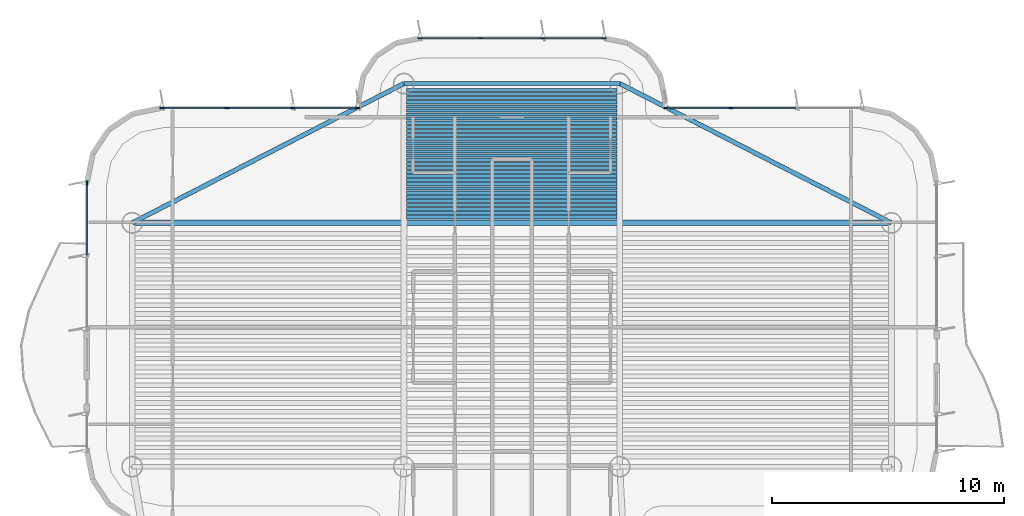
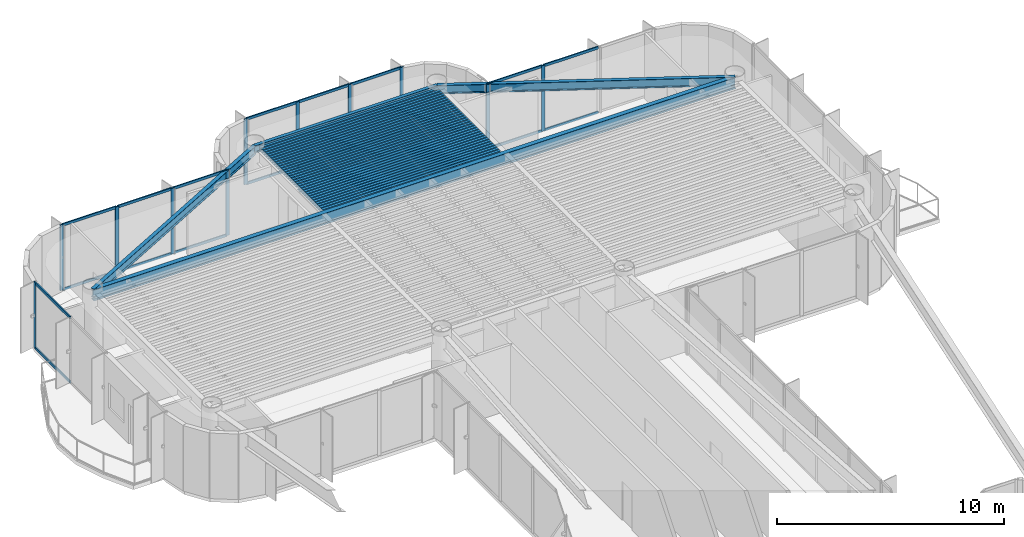
# One storey, part 7 of 16: 36 beams, 29 members, 4 elements without a shape of their own.
"""IFC4 building model written with IfcOpenShell, lengths in metres."""

from ifc_helpers import new_model, si_unit, direction, frame, origin, origin_2d, place, context, subcontext, project, spatial, rectangle, i_section, extrude, source, transform, mapped, material, layer, layer_set, material_profile, profile_set, type_object, element, aggregate, save


model = new_model("IFC4")

# Units and contexts
model_context = context("Model", 3, precision=1e-05, world=origin(), true_north=direction((0.0, 1.0)))
body_context = subcontext(model_context, "Body", "Model", "MODEL_VIEW")
ifc_project = project(units=[si_unit("LENGTHUNIT", "METRE"), si_unit("AREAUNIT", "SQUARE_METRE"), si_unit("VOLUMEUNIT", "CUBIC_METRE"), si_unit("PLANEANGLEUNIT", "RADIAN"), si_unit("MASSUNIT", "GRAM", prefix="KILO")], contexts=[model_context])

# Site, building, storey
site_placement = place(None, origin())
site = spatial("IfcSite", under=ifc_project, at=site_placement, CompositionType="ELEMENT")
building_placement = place(site_placement, origin())
building = spatial("IfcBuilding", under=site, at=building_placement, Name="Brelvock Crest Care Tower", CompositionType="ELEMENT")
storey_placement = place(building_placement, frame((0.0, 0.0, 226.800048828125)))
storey = spatial("IfcBuildingStorey", under=building, at=storey_placement, Name="L57", CompositionType="ELEMENT", Elevation=226.800048828125)

# Beams
ifc_material_1 = material(Name="Steel Grade 350", Category="steel")
ifc_material_profile_1 = material_profile(ifc_material_1, i_section(OverallWidth=0.177978515625, OverallDepth=0.406005859375, WebThickness=0.0078125, FlangeThickness=0.0126953125, FilletRadius=0.011474609375, at=origin_2d()), Name="410UB59.7")
ifc_profile_set_1 = profile_set([ifc_material_profile_1], Name="Steel Grade 350")
beam_type_1 = type_object("IfcBeamType", Name="BM-SP1", PredefinedType="SPANDREL", material=ifc_profile_set_1)
shared_shape_1 = source(origin(), body_context, "Body", "SweptSolid", [
    extrude(i_section(OverallWidth=0.177978515625, OverallDepth=0.406005859375, WebThickness=0.0078125, FlangeThickness=0.0126953125, FilletRadius=0.011474609375, at=origin_2d()), origin(), (0.0, 0.0, 1.0), 9.2998046875),
])
beam_1_placement = place(storey_placement, frame((31.35009765625, 60.449951171875, 3.326904296875), z_axis=(1.0, 0.0, 0.0), x_axis=(0.0, 1.0, 0.0)))
element("IfcBeam", 1, at=beam_1_placement, inside=storey, type_object=beam_type_1, Name="BM-TWR-L57-08", PredefinedType="SPANDREL", context=body_context, shape_type="MappedRepresentation", body=[
    mapped(shared_shape_1, transform((0.0, 0.0, 0.0), x_axis=(1.0, 0.0, 0.0), y_axis=(0.0, 1.0, 0.0), z_axis=(0.0, 0.0, 1.0), scale=1.0)),
])
ifc_material_profile_2 = material_profile(ifc_material_1, i_section(OverallWidth=0.14599609375, OverallDepth=0.256103515625, WebThickness=0.00634765625, FlangeThickness=0.010986328125, FilletRadius=0.0087890625, at=origin_2d()), Name="250UB37.3")
ifc_profile_set_2 = profile_set([ifc_material_profile_2], Name="Steel Grade 350")
beam_type_2 = type_object("IfcBeamType", Name="BM-J3", PredefinedType="JOIST", material=ifc_profile_set_2)
shared_shape_2 = source(origin(), body_context, "Body", "SweptSolid", [
    extrude(i_section(OverallWidth=0.14599609375, OverallDepth=0.256103515625, WebThickness=0.00634765625, FlangeThickness=0.010986328125, FilletRadius=0.0087890625, at=origin_2d()), origin(), (0.0, 0.0, 1.0), 9.06982421875),
])
for number, where, z_axis, x_axis, name in (
    (2, (31.465087890625, 54.68994140625, 3.40185546875), (1.0, 0.0, 0.0), (0.0, 1.0, 0.0), "BM-JN-L57-1"),
    (3, (31.465087890625, 54.866943359375, 3.40185546875), (1.0, 0.0, 0.0), (0.0, 1.0, 0.0), "BM-JN-L57-2"),
    (4, (31.465087890625, 55.0439453125, 3.40185546875), (1.0, 0.0, 0.0), (0.0, 1.0, 0.0), "BM-JN-L57-3"),
    (5, (31.465087890625, 55.220947265625, 3.40185546875), (1.0, 0.0, 0.0), (0.0, 1.0, 0.0), "BM-JN-L57-4"),
    (6, (31.465087890625, 55.39794921875, 3.40185546875), (1.0, 0.0, 0.0), (0.0, 1.0, 0.0), "BM-JN-L57-5"),
    (7, (31.465087890625, 55.574951171875, 3.40185546875), (1.0, 0.0, 0.0), (0.0, 1.0, 0.0), "BM-JN-L57-6"),
    (8, (31.465087890625, 55.751953125, 3.40185546875), (1.0, 0.0, 0.0), (0.0, 1.0, 0.0), "BM-JN-L57-7"),
    (9, (31.465087890625, 55.928955078125, 3.40185546875), (1.0, 0.0, 0.0), (0.0, 1.0, 0.0), "BM-JN-L57-8"),
    (10, (31.465087890625, 56.10595703125, 3.40185546875), (1.0, 0.0, 0.0), (0.0, 1.0, 0.0), "BM-JN-L57-9"),
    (11, (31.465087890625, 56.282958984375, 3.40185546875), (1.0, 0.0, 0.0), (0.0, 1.0, 0.0), "BM-JN-L57-10"),
    (12, (31.465087890625, 56.4599609375, 3.40185546875), (1.0, 0.0, 0.0), (0.0, 1.0, 0.0), "BM-JN-L57-11"),
    (13, (31.465087890625, 56.636962890625, 3.40185546875), (1.0, 0.0, 0.0), (0.0, 1.0, 0.0), "BM-JN-L57-12"),
    (14, (31.465087890625, 56.81396484375, 3.40185546875), (1.0, 0.0, 0.0), (0.0, 1.0, 0.0), "BM-JN-L57-13"),
):
    element("IfcBeam", number, at=place(storey_placement, frame(where, z_axis=z_axis, x_axis=x_axis)), inside=storey, type_object=beam_type_2, Name=name, PredefinedType="JOIST", context=body_context, shape_type="MappedRepresentation", body=[
        mapped(shared_shape_2, transform((0.0, 0.0, 0.0), x_axis=(1.0, 0.0, 0.0), y_axis=(0.0, 1.0, 0.0), z_axis=(0.0, 0.0, 1.0), scale=1.0)),
    ])
ifc_material_profile_3 = material_profile(ifc_material_1, i_section(OverallWidth=0.134033203125, OverallDepth=0.20703125, WebThickness=0.00634765625, FlangeThickness=0.009521484375, FilletRadius=0.0087890625, at=origin_2d()), Name="200UB29.8")
ifc_profile_set_3 = profile_set([ifc_material_profile_3], Name="Steel Grade 350")
beam_type_3 = type_object("IfcBeamType", Name="BM-J4", PredefinedType="JOIST", material=ifc_profile_set_3)
shared_shape_3 = source(origin(), body_context, "Body", "SweptSolid", [
    extrude(i_section(OverallWidth=0.134033203125, OverallDepth=0.20703125, WebThickness=0.00634765625, FlangeThickness=0.009521484375, FilletRadius=0.0087890625, at=origin_2d()), origin(), (0.0, 0.0, 1.0), 9.06982421875),
])
for number, where, z_axis, x_axis, name in (
    (15, (31.465087890625, 56.990966796875, 3.426513671875), (1.0, 0.0, 0.0), (0.0, 1.0, 0.0), "BM-JN-L57-14"),
    (16, (31.465087890625, 57.16796875, 3.426513671875), (1.0, 0.0, 0.0), (0.0, 1.0, 0.0), "BM-JN-L57-15"),
    (17, (31.465087890625, 57.344970703125, 3.426513671875), (1.0, 0.0, 0.0), (0.0, 1.0, 0.0), "BM-JN-L57-16"),
    (18, (31.465087890625, 57.52197265625, 3.426513671875), (1.0, 0.0, 0.0), (0.0, 1.0, 0.0), "BM-JN-L57-17"),
    (19, (31.465087890625, 57.698974609375, 3.426513671875), (1.0, 0.0, 0.0), (0.0, 1.0, 0.0), "BM-JN-L57-18"),
    (20, (31.465087890625, 57.8759765625, 3.426513671875), (1.0, 0.0, 0.0), (0.0, 1.0, 0.0), "BM-JN-L57-19"),
    (21, (31.465087890625, 58.052978515625, 3.426513671875), (1.0, 0.0, 0.0), (0.0, 1.0, 0.0), "BM-JN-L57-20"),
    (22, (31.465087890625, 58.22998046875, 3.426513671875), (1.0, 0.0, 0.0), (0.0, 1.0, 0.0), "BM-JN-L57-21"),
    (23, (31.465087890625, 58.406982421875, 3.426513671875), (1.0, 0.0, 0.0), (0.0, 1.0, 0.0), "BM-JN-L57-22"),
    (24, (31.465087890625, 58.583984375, 3.426513671875), (1.0, 0.0, 0.0), (0.0, 1.0, 0.0), "BM-JN-L57-23"),
    (25, (31.465087890625, 58.760986328125, 3.426513671875), (1.0, 0.0, 0.0), (0.0, 1.0, 0.0), "BM-JN-L57-24"),
    (26, (31.465087890625, 58.93798828125, 3.426513671875), (1.0, 0.0, 0.0), (0.0, 1.0, 0.0), "BM-JN-L57-25"),
    (27, (31.465087890625, 59.114990234375, 3.426513671875), (1.0, 0.0, 0.0), (0.0, 1.0, 0.0), "BM-JN-L57-26"),
    (28, (31.465087890625, 59.2919921875, 3.426513671875), (1.0, 0.0, 0.0), (0.0, 1.0, 0.0), "BM-JN-L57-27"),
    (29, (31.465087890625, 59.468994140625, 3.426513671875), (1.0, 0.0, 0.0), (0.0, 1.0, 0.0), "BM-JN-L57-28"),
    (30, (31.465087890625, 59.64599609375, 3.426513671875), (1.0, 0.0, 0.0), (0.0, 1.0, 0.0), "BM-JN-L57-29"),
    (31, (31.465087890625, 59.822998046875, 3.426513671875), (1.0, 0.0, 0.0), (0.0, 1.0, 0.0), "BM-JN-L57-30"),
    (32, (31.465087890625, 60.0, 3.426513671875), (1.0, 0.0, 0.0), (0.0, 1.0, 0.0), "BM-JN-L57-31"),
    (33, (31.465087890625, 60.177001953125, 3.426513671875), (1.0, 0.0, 0.0), (0.0, 1.0, 0.0), "BM-JN-L57-32"),
):
    element("IfcBeam", number, at=place(storey_placement, frame(where, z_axis=z_axis, x_axis=x_axis)), inside=storey, type_object=beam_type_3, Name=name, PredefinedType="JOIST", context=body_context, shape_type="MappedRepresentation", body=[
        mapped(shared_shape_3, transform((0.0, 0.0, 0.0), x_axis=(1.0, 0.0, 0.0), y_axis=(0.0, 1.0, 0.0), z_axis=(0.0, 0.0, 1.0), scale=1.0)),
    ])
ifc_material_profile_4 = material_profile(ifc_material_1, i_section(OverallWidth=0.19091796875, OverallDepth=0.4599609375, WebThickness=0.010009765625, FlangeThickness=0.01611328125, FilletRadius=0.011474609375, at=origin_2d()), Name="460UB82.1")
ifc_profile_set_4 = profile_set([ifc_material_profile_4], Name="Steel Grade 350")
beam_type_4 = type_object("IfcBeamType", Name="BM-SP2", PredefinedType="SPANDREL", material=ifc_profile_set_4)
shared_shape_4 = source(origin(), body_context, "Body", "SweptSolid", [
    extrude(i_section(OverallWidth=0.19091796875, OverallDepth=0.4599609375, WebThickness=0.010009765625, FlangeThickness=0.01611328125, FilletRadius=0.011474609375, at=origin_2d()), origin(), (0.0, 0.0, 1.0), 13.14892578125),
])
for number, where, z_axis, x_axis, name in (
    (34, (19.64990234375, 54.449951171875, 3.300048828125), (0.889820555736, 0.456310616346, 0.0), (-0.456310616346, 0.889820555736, 0.0), "BM-TWR-L57-06"),
    (35, (40.64990234375, 60.449951171875, 3.300048828125), (0.889820555736, -0.456310616346, 0.0), (0.456310616346, 0.889820555736, 0.0), "BM-TWR-L57-07"),
):
    element("IfcBeam", number, at=place(storey_placement, frame(where, z_axis=z_axis, x_axis=x_axis)), inside=storey, type_object=beam_type_4, Name=name, PredefinedType="SPANDREL", context=body_context, shape_type="MappedRepresentation", body=[
        mapped(shared_shape_4, transform((0.0, 0.0, 0.0), x_axis=(1.0, 0.0, 0.0), y_axis=(0.0, 1.0, 0.0), z_axis=(0.0, 0.0, 1.0), scale=1.0)),
    ])
ifc_material_profile_5 = material_profile(ifc_material_1, i_section(OverallWidth=0.22900390625, OverallDepth=0.612060546875, WebThickness=0.011962890625, FlangeThickness=0.01953125, FilletRadius=0.013916015625, at=origin_2d()), Name="610UB125")
ifc_profile_set_5 = profile_set([ifc_material_profile_5], Name="Steel Grade 350")
beam_type_5 = type_object("IfcBeamType", Name="BM-G1", PredefinedType="BEAM", material=ifc_profile_set_5)
shared_shape_5 = source(origin(), body_context, "Body", "SweptSolid", [
    extrude(i_section(OverallWidth=0.22900390625, OverallDepth=0.612060546875, WebThickness=0.011962890625, FlangeThickness=0.01953125, FilletRadius=0.013916015625, at=origin_2d()), origin(), (0.0, 0.0, 1.0), 32.7001953125),
])
beam_2_placement = place(storey_placement, frame((19.64990234375, 54.449951171875, 3.223876953125), z_axis=(1.0, 0.0, 0.0), x_axis=(0.0, 1.0, 0.0)))
element("IfcBeam", 36, at=beam_2_placement, inside=storey, type_object=beam_type_5, Name="BM-TWR-L57-11", PredefinedType="BEAM", context=body_context, shape_type="MappedRepresentation", body=[
    mapped(shared_shape_5, transform((0.0, 0.0, 0.0), x_axis=(1.0, 0.0, 0.0), y_axis=(0.0, 1.0, 0.0), z_axis=(0.0, 0.0, 1.0), scale=1.0)),
])

# Curtain wall, member
ifc_material_2 = material(Name="Dark Glass Double Glazed Low-E", Category="glass")
ifc_layer = layer(ifc_material_2, 0.239990234375, Name="CWS-5")
ifc_layer_set = layer_set([ifc_layer], Name="Dark Glass Double Glazed Low-E")
curtain_wall_type = type_object("IfcCurtainWallType", Name="CWS-5", PredefinedType="NOTDEFINED", material=ifc_layer_set)
curtain_wall_1_placement = place(storey_placement, origin())
curtain_wall_1 = element("IfcCurtainWall", 37, at=curtain_wall_1_placement, inside=storey, type_object=curtain_wall_type, Name="L57 Curtain Wall E17B", PredefinedType="NOTDEFINED")
ifc_material_3 = material(Name="Aluminium 6063-T6", Category="aluminium")
ifc_material_profile_6 = material_profile(ifc_material_3, rectangle(XDim=0.06005859375, YDim=0.179931640625, at=origin_2d()), Name="ALU60x180")
ifc_profile_set_6 = profile_set([ifc_material_profile_6], Name="Aluminium 6063-T6")
member_type_1 = type_object("IfcMemberType", Name="CWM-2", PredefinedType="MULLION", material=ifc_profile_set_6)
shared_shape_6 = source(origin(), body_context, "Body", "SweptSolid", [
    extrude(rectangle(XDim=0.06005859375, YDim=0.179931640625, at=origin_2d()), origin(), (0.0, 0.0, 1.0), 3.530029296875),
])
member_1_placement = place(storey_placement, frame((17.699951171875, 56.169921875, 0.0), z_axis=(0.0, 0.0, 1.0), x_axis=(-1.0, 0.0, 0.0)))
member_1 = element("IfcMember", 38, at=member_1_placement, type_object=member_type_1, Name="CW-5 mullion 3", PredefinedType="MULLION", context=body_context, shape_type="MappedRepresentation", body=[
    mapped(shared_shape_6, transform((0.0, 0.0, 0.0), x_axis=(1.0, 0.0, 0.0), y_axis=(0.0, 1.0, 0.0), z_axis=(0.0, 0.0, 1.0), scale=1.0)),
])

# Curtain wall, members
curtain_wall_2_placement = place(storey_placement, origin())
curtain_wall_2 = element("IfcCurtainWall", 39, at=curtain_wall_2_placement, inside=storey, type_object=curtain_wall_type, Name="L57 Curtain Wall E22", PredefinedType="NOTDEFINED")
member_2_placement = place(storey_placement, frame((20.929931640625, 59.39990234375, 0.0), z_axis=(0.0, 0.0, 1.0), x_axis=(0.0, 1.0, 0.0)))
member_2 = element("IfcMember", 40, at=member_2_placement, type_object=member_type_1, Name="CW-5 mullion 1", PredefinedType="MULLION", context=body_context, shape_type="MappedRepresentation", body=[
    mapped(shared_shape_6, transform((0.0, 0.0, 0.0), x_axis=(1.0, 0.0, 0.0), y_axis=(0.0, 1.0, 0.0), z_axis=(0.0, 0.0, 1.0), scale=1.0)),
])
member_3_placement = place(storey_placement, frame((23.7333984375, 59.39990234375, 0.0), z_axis=(0.0, 0.0, 1.0), x_axis=(0.0, 1.0, 0.0)))
member_3 = element("IfcMember", 41, at=member_3_placement, type_object=member_type_1, Name="CW-5 mullion 2", PredefinedType="MULLION", context=body_context, shape_type="MappedRepresentation", body=[
    mapped(shared_shape_6, transform((0.0, 0.0, 0.0), x_axis=(1.0, 0.0, 0.0), y_axis=(0.0, 1.0, 0.0), z_axis=(0.0, 0.0, 1.0), scale=1.0)),
])
member_4_placement = place(storey_placement, frame((26.566650390625, 59.39990234375, 0.0), z_axis=(0.0, 0.0, 1.0), x_axis=(0.0, 1.0, 0.0)))
member_4 = element("IfcMember", 42, at=member_4_placement, type_object=member_type_1, Name="CW-5 mullion 3", PredefinedType="MULLION", context=body_context, shape_type="MappedRepresentation", body=[
    mapped(shared_shape_6, transform((0.0, 0.0, 0.0), x_axis=(1.0, 0.0, 0.0), y_axis=(0.0, 1.0, 0.0), z_axis=(0.0, 0.0, 1.0), scale=1.0)),
])
member_5_placement = place(storey_placement, frame((29.3701171875, 59.39990234375, 0.0), z_axis=(0.0, 0.0, 1.0), x_axis=(0.0, 1.0, 0.0)))
member_5 = element("IfcMember", 43, at=member_5_placement, type_object=member_type_1, Name="CW-5 mullion 4", PredefinedType="MULLION", context=body_context, shape_type="MappedRepresentation", body=[
    mapped(shared_shape_6, transform((0.0, 0.0, 0.0), x_axis=(1.0, 0.0, 0.0), y_axis=(0.0, 1.0, 0.0), z_axis=(0.0, 0.0, 1.0), scale=1.0)),
])

curtain_wall_3_placement = place(storey_placement, origin())
curtain_wall_3 = element("IfcCurtainWall", 44, at=curtain_wall_3_placement, inside=storey, type_object=curtain_wall_type, Name="L57 Curtain Wall E28", PredefinedType="NOTDEFINED")
member_6_placement = place(storey_placement, frame((32.030029296875, 62.39990234375, 0.0), z_axis=(0.0, 0.0, 1.0), x_axis=(0.0, 1.0, 0.0)))
member_6 = element("IfcMember", 45, at=member_6_placement, type_object=member_type_1, Name="CW-5 mullion 1", PredefinedType="MULLION", context=body_context, shape_type="MappedRepresentation", body=[
    mapped(shared_shape_6, transform((0.0, 0.0, 0.0), x_axis=(1.0, 0.0, 0.0), y_axis=(0.0, 1.0, 0.0), z_axis=(0.0, 0.0, 1.0), scale=1.0)),
])
member_7_placement = place(storey_placement, frame((34.666748046875, 62.39990234375, 0.0), z_axis=(0.0, 0.0, 1.0), x_axis=(0.0, 1.0, 0.0)))
member_7 = element("IfcMember", 46, at=member_7_placement, type_object=member_type_1, Name="CW-5 mullion 2", PredefinedType="MULLION", context=body_context, shape_type="MappedRepresentation", body=[
    mapped(shared_shape_6, transform((0.0, 0.0, 0.0), x_axis=(1.0, 0.0, 0.0), y_axis=(0.0, 1.0, 0.0), z_axis=(0.0, 0.0, 1.0), scale=1.0)),
])
member_8_placement = place(storey_placement, frame((37.333251953125, 62.39990234375, 0.0), z_axis=(0.0, 0.0, 1.0), x_axis=(0.0, 1.0, 0.0)))
member_8 = element("IfcMember", 47, at=member_8_placement, type_object=member_type_1, Name="CW-5 mullion 3", PredefinedType="MULLION", context=body_context, shape_type="MappedRepresentation", body=[
    mapped(shared_shape_6, transform((0.0, 0.0, 0.0), x_axis=(1.0, 0.0, 0.0), y_axis=(0.0, 1.0, 0.0), z_axis=(0.0, 0.0, 1.0), scale=1.0)),
])
member_9_placement = place(storey_placement, frame((39.969970703125, 62.39990234375, 0.0), z_axis=(0.0, 0.0, 1.0), x_axis=(0.0, 1.0, 0.0)))
member_9 = element("IfcMember", 48, at=member_9_placement, type_object=member_type_1, Name="CW-5 mullion 4", PredefinedType="MULLION", context=body_context, shape_type="MappedRepresentation", body=[
    mapped(shared_shape_6, transform((0.0, 0.0, 0.0), x_axis=(1.0, 0.0, 0.0), y_axis=(0.0, 1.0, 0.0), z_axis=(0.0, 0.0, 1.0), scale=1.0)),
])

curtain_wall_4_placement = place(storey_placement, origin())
curtain_wall_4 = element("IfcCurtainWall", 49, at=curtain_wall_4_placement, inside=storey, type_object=curtain_wall_type, Name="L57 Curtain Wall E34", PredefinedType="NOTDEFINED")
member_10_placement = place(storey_placement, frame((42.6298828125, 59.39990234375, 0.0), z_axis=(0.0, 0.0, 1.0), x_axis=(0.0, 1.0, 0.0)))
member_10 = element("IfcMember", 50, at=member_10_placement, type_object=member_type_1, Name="CW-5 mullion 1", PredefinedType="MULLION", context=body_context, shape_type="MappedRepresentation", body=[
    mapped(shared_shape_6, transform((0.0, 0.0, 0.0), x_axis=(1.0, 0.0, 0.0), y_axis=(0.0, 1.0, 0.0), z_axis=(0.0, 0.0, 1.0), scale=1.0)),
])
member_11_placement = place(storey_placement, frame((45.433349609375, 59.39990234375, 0.0), z_axis=(0.0, 0.0, 1.0), x_axis=(0.0, 1.0, 0.0)))
member_11 = element("IfcMember", 51, at=member_11_placement, type_object=member_type_1, Name="CW-5 mullion 2", PredefinedType="MULLION", context=body_context, shape_type="MappedRepresentation", body=[
    mapped(shared_shape_6, transform((0.0, 0.0, 0.0), x_axis=(1.0, 0.0, 0.0), y_axis=(0.0, 1.0, 0.0), z_axis=(0.0, 0.0, 1.0), scale=1.0)),
])

# Member
ifc_material_profile_7 = material_profile(ifc_material_3, rectangle(XDim=0.06005859375, YDim=0.139892578125, at=origin_2d()), Name="ALU60x140")
ifc_profile_set_7 = profile_set([ifc_material_profile_7], Name="Aluminium 6063-T6")
member_type_2 = type_object("IfcMemberType", Name="CWT-2", PredefinedType="USERDEFINED", material=ifc_profile_set_7)
shared_shape_7 = source(origin(), body_context, "Body", "SweptSolid", [
    extrude(rectangle(XDim=0.06005859375, YDim=0.139892578125, at=origin_2d()), origin(), (0.0, 0.0, 1.0), 2.57666015625),
])
member_12_placement = place(storey_placement, frame((32.06005859375, 62.39990234375, 0.030029296875), z_axis=(1.0, 0.0, 0.0), x_axis=(0.0, 1.0, 0.0)))
member_12 = element("IfcMember", 52, at=member_12_placement, type_object=member_type_2, Name="CW-5 transom 1.1", ObjectType="TRANSOM", PredefinedType="USERDEFINED", context=body_context, shape_type="MappedRepresentation", body=[
    mapped(shared_shape_7, transform((0.0, 0.0, 0.0), x_axis=(1.0, 0.0, 0.0), y_axis=(0.0, 1.0, 0.0), z_axis=(0.0, 0.0, 1.0), scale=1.0)),
])

member_13_placement = place(storey_placement, frame((32.06005859375, 62.39990234375, 3.5), z_axis=(1.0, 0.0, 0.0), x_axis=(0.0, 1.0, 0.0)))
member_13 = element("IfcMember", 53, at=member_13_placement, type_object=member_type_2, Name="CW-5 transom 1.2", ObjectType="TRANSOM", PredefinedType="USERDEFINED", context=body_context, shape_type="MappedRepresentation", body=[
    mapped(shared_shape_7, transform((0.0, 0.0, 0.0), x_axis=(1.0, 0.0, 0.0), y_axis=(0.0, 1.0, 0.0), z_axis=(0.0, 0.0, 1.0), scale=1.0)),
])

member_14_placement = place(storey_placement, frame((37.36328125, 62.39990234375, 0.030029296875), z_axis=(1.0, 0.0, 0.0), x_axis=(0.0, 1.0, 0.0)))
member_14 = element("IfcMember", 54, at=member_14_placement, type_object=member_type_2, Name="CW-5 transom 3.1", ObjectType="TRANSOM", PredefinedType="USERDEFINED", context=body_context, shape_type="MappedRepresentation", body=[
    mapped(shared_shape_7, transform((0.0, 0.0, 0.0), x_axis=(1.0, 0.0, 0.0), y_axis=(0.0, 1.0, 0.0), z_axis=(0.0, 0.0, 1.0), scale=1.0)),
])

member_15_placement = place(storey_placement, frame((37.36328125, 62.39990234375, 3.5), z_axis=(1.0, 0.0, 0.0), x_axis=(0.0, 1.0, 0.0)))
member_15 = element("IfcMember", 55, at=member_15_placement, type_object=member_type_2, Name="CW-5 transom 3.2", ObjectType="TRANSOM", PredefinedType="USERDEFINED", context=body_context, shape_type="MappedRepresentation", body=[
    mapped(shared_shape_7, transform((0.0, 0.0, 0.0), x_axis=(1.0, 0.0, 0.0), y_axis=(0.0, 1.0, 0.0), z_axis=(0.0, 0.0, 1.0), scale=1.0)),
])

shared_shape_8 = source(origin(), body_context, "Body", "SweptSolid", [
    extrude(rectangle(XDim=0.06005859375, YDim=0.139892578125, at=origin_2d()), origin(), (0.0, 0.0, 1.0), 3.0849609375),
])
member_16_placement = place(storey_placement, frame((17.699951171875, 53.054931640625, 0.030029296875), z_axis=(0.0, 1.0, 0.0), x_axis=(-1.0, 0.0, 0.0)))
member_16 = element("IfcMember", 56, at=member_16_placement, type_object=member_type_2, Name="CW-5 transom 2.1", ObjectType="TRANSOM", PredefinedType="USERDEFINED", context=body_context, shape_type="MappedRepresentation", body=[
    mapped(shared_shape_8, transform((0.0, 0.0, 0.0), x_axis=(1.0, 0.0, 0.0), y_axis=(0.0, 1.0, 0.0), z_axis=(0.0, 0.0, 1.0), scale=1.0)),
])

member_17_placement = place(storey_placement, frame((17.699951171875, 53.054931640625, 3.5), z_axis=(0.0, 1.0, 0.0), x_axis=(-1.0, 0.0, 0.0)))
member_17 = element("IfcMember", 57, at=member_17_placement, type_object=member_type_2, Name="CW-5 transom 2.2", ObjectType="TRANSOM", PredefinedType="USERDEFINED", context=body_context, shape_type="MappedRepresentation", body=[
    mapped(shared_shape_8, transform((0.0, 0.0, 0.0), x_axis=(1.0, 0.0, 0.0), y_axis=(0.0, 1.0, 0.0), z_axis=(0.0, 0.0, 1.0), scale=1.0)),
])

aggregate(curtain_wall_1, [member_1, member_16, member_17])

shared_shape_9 = source(origin(), body_context, "Body", "SweptSolid", [
    extrude(rectangle(XDim=0.06005859375, YDim=0.139892578125, at=origin_2d()), origin(), (0.0, 0.0, 1.0), 2.743408203125),
])
member_18_placement = place(storey_placement, frame((20.9599609375, 59.39990234375, 0.030029296875), z_axis=(1.0, 0.0, 0.0), x_axis=(0.0, 1.0, 0.0)))
member_18 = element("IfcMember", 58, at=member_18_placement, type_object=member_type_2, Name="CW-5 transom 1.1", ObjectType="TRANSOM", PredefinedType="USERDEFINED", context=body_context, shape_type="MappedRepresentation", body=[
    mapped(shared_shape_9, transform((0.0, 0.0, 0.0), x_axis=(1.0, 0.0, 0.0), y_axis=(0.0, 1.0, 0.0), z_axis=(0.0, 0.0, 1.0), scale=1.0)),
])

member_19_placement = place(storey_placement, frame((20.9599609375, 59.39990234375, 3.5), z_axis=(1.0, 0.0, 0.0), x_axis=(0.0, 1.0, 0.0)))
member_19 = element("IfcMember", 59, at=member_19_placement, type_object=member_type_2, Name="CW-5 transom 1.2", ObjectType="TRANSOM", PredefinedType="USERDEFINED", context=body_context, shape_type="MappedRepresentation", body=[
    mapped(shared_shape_9, transform((0.0, 0.0, 0.0), x_axis=(1.0, 0.0, 0.0), y_axis=(0.0, 1.0, 0.0), z_axis=(0.0, 0.0, 1.0), scale=1.0)),
])

member_20_placement = place(storey_placement, frame((26.5966796875, 59.39990234375, 0.030029296875), z_axis=(1.0, 0.0, 0.0), x_axis=(0.0, 1.0, 0.0)))
member_20 = element("IfcMember", 60, at=member_20_placement, type_object=member_type_2, Name="CW-5 transom 3.1", ObjectType="TRANSOM", PredefinedType="USERDEFINED", context=body_context, shape_type="MappedRepresentation", body=[
    mapped(shared_shape_9, transform((0.0, 0.0, 0.0), x_axis=(1.0, 0.0, 0.0), y_axis=(0.0, 1.0, 0.0), z_axis=(0.0, 0.0, 1.0), scale=1.0)),
])

member_21_placement = place(storey_placement, frame((26.5966796875, 59.39990234375, 3.5), z_axis=(1.0, 0.0, 0.0), x_axis=(0.0, 1.0, 0.0)))
member_21 = element("IfcMember", 61, at=member_21_placement, type_object=member_type_2, Name="CW-5 transom 3.2", ObjectType="TRANSOM", PredefinedType="USERDEFINED", context=body_context, shape_type="MappedRepresentation", body=[
    mapped(shared_shape_9, transform((0.0, 0.0, 0.0), x_axis=(1.0, 0.0, 0.0), y_axis=(0.0, 1.0, 0.0), z_axis=(0.0, 0.0, 1.0), scale=1.0)),
])

member_22_placement = place(storey_placement, frame((42.659912109375, 59.39990234375, 0.030029296875), z_axis=(1.0, 0.0, 0.0), x_axis=(0.0, 1.0, 0.0)))
member_22 = element("IfcMember", 62, at=member_22_placement, type_object=member_type_2, Name="CW-5 transom 1.1", ObjectType="TRANSOM", PredefinedType="USERDEFINED", context=body_context, shape_type="MappedRepresentation", body=[
    mapped(shared_shape_9, transform((0.0, 0.0, 0.0), x_axis=(1.0, 0.0, 0.0), y_axis=(0.0, 1.0, 0.0), z_axis=(0.0, 0.0, 1.0), scale=1.0)),
])

member_23_placement = place(storey_placement, frame((42.659912109375, 59.39990234375, 3.5), z_axis=(1.0, 0.0, 0.0), x_axis=(0.0, 1.0, 0.0)))
member_23 = element("IfcMember", 63, at=member_23_placement, type_object=member_type_2, Name="CW-5 transom 1.2", ObjectType="TRANSOM", PredefinedType="USERDEFINED", context=body_context, shape_type="MappedRepresentation", body=[
    mapped(shared_shape_9, transform((0.0, 0.0, 0.0), x_axis=(1.0, 0.0, 0.0), y_axis=(0.0, 1.0, 0.0), z_axis=(0.0, 0.0, 1.0), scale=1.0)),
])

shared_shape_10 = source(origin(), body_context, "Body", "SweptSolid", [
    extrude(rectangle(XDim=0.06005859375, YDim=0.139892578125, at=origin_2d()), origin(), (0.0, 0.0, 1.0), 2.773193359375),
])
member_24_placement = place(storey_placement, frame((23.763427734375, 59.39990234375, 0.030029296875), z_axis=(1.0, 0.0, 0.0), x_axis=(0.0, 1.0, 0.0)))
member_24 = element("IfcMember", 64, at=member_24_placement, type_object=member_type_2, Name="CW-5 transom 2.1", ObjectType="TRANSOM", PredefinedType="USERDEFINED", context=body_context, shape_type="MappedRepresentation", body=[
    mapped(shared_shape_10, transform((0.0, 0.0, 0.0), x_axis=(1.0, 0.0, 0.0), y_axis=(0.0, 1.0, 0.0), z_axis=(0.0, 0.0, 1.0), scale=1.0)),
])

member_25_placement = place(storey_placement, frame((23.763427734375, 59.39990234375, 3.5), z_axis=(1.0, 0.0, 0.0), x_axis=(0.0, 1.0, 0.0)))
member_25 = element("IfcMember", 65, at=member_25_placement, type_object=member_type_2, Name="CW-5 transom 2.2", ObjectType="TRANSOM", PredefinedType="USERDEFINED", context=body_context, shape_type="MappedRepresentation", body=[
    mapped(shared_shape_10, transform((0.0, 0.0, 0.0), x_axis=(1.0, 0.0, 0.0), y_axis=(0.0, 1.0, 0.0), z_axis=(0.0, 0.0, 1.0), scale=1.0)),
])

aggregate(curtain_wall_2, [member_2, member_3, member_4, member_5, member_18, member_19, member_24, member_25, member_20, member_21])

member_26_placement = place(storey_placement, frame((45.46337890625, 59.39990234375, 0.030029296875), z_axis=(1.0, 0.0, 0.0), x_axis=(0.0, 1.0, 0.0)))
member_26 = element("IfcMember", 66, at=member_26_placement, type_object=member_type_2, Name="CW-5 transom 2.1", ObjectType="TRANSOM", PredefinedType="USERDEFINED", context=body_context, shape_type="MappedRepresentation", body=[
    mapped(shared_shape_10, transform((0.0, 0.0, 0.0), x_axis=(1.0, 0.0, 0.0), y_axis=(0.0, 1.0, 0.0), z_axis=(0.0, 0.0, 1.0), scale=1.0)),
])

member_27_placement = place(storey_placement, frame((45.46337890625, 59.39990234375, 3.5), z_axis=(1.0, 0.0, 0.0), x_axis=(0.0, 1.0, 0.0)))
member_27 = element("IfcMember", 67, at=member_27_placement, type_object=member_type_2, Name="CW-5 transom 2.2", ObjectType="TRANSOM", PredefinedType="USERDEFINED", context=body_context, shape_type="MappedRepresentation", body=[
    mapped(shared_shape_10, transform((0.0, 0.0, 0.0), x_axis=(1.0, 0.0, 0.0), y_axis=(0.0, 1.0, 0.0), z_axis=(0.0, 0.0, 1.0), scale=1.0)),
])

aggregate(curtain_wall_4, [member_10, member_11, member_22, member_23, member_26, member_27])

shared_shape_11 = source(origin(), body_context, "Body", "SweptSolid", [
    extrude(rectangle(XDim=0.06005859375, YDim=0.139892578125, at=origin_2d()), origin(), (0.0, 0.0, 1.0), 2.6064453125),
])
member_28_placement = place(storey_placement, frame((34.69677734375, 62.39990234375, 0.030029296875), z_axis=(1.0, 0.0, 0.0), x_axis=(0.0, 1.0, 0.0)))
member_28 = element("IfcMember", 68, at=member_28_placement, type_object=member_type_2, Name="CW-5 transom 2.1", ObjectType="TRANSOM", PredefinedType="USERDEFINED", context=body_context, shape_type="MappedRepresentation", body=[
    mapped(shared_shape_11, transform((0.0, 0.0, 0.0), x_axis=(1.0, 0.0, 0.0), y_axis=(0.0, 1.0, 0.0), z_axis=(0.0, 0.0, 1.0), scale=1.0)),
])

member_29_placement = place(storey_placement, frame((34.69677734375, 62.39990234375, 3.5), z_axis=(1.0, 0.0, 0.0), x_axis=(0.0, 1.0, 0.0)))
member_29 = element("IfcMember", 69, at=member_29_placement, type_object=member_type_2, Name="CW-5 transom 2.2", ObjectType="TRANSOM", PredefinedType="USERDEFINED", context=body_context, shape_type="MappedRepresentation", body=[
    mapped(shared_shape_11, transform((0.0, 0.0, 0.0), x_axis=(1.0, 0.0, 0.0), y_axis=(0.0, 1.0, 0.0), z_axis=(0.0, 0.0, 1.0), scale=1.0)),
])

aggregate(curtain_wall_3, [member_6, member_7, member_8, member_9, member_12, member_13, member_28, member_29, member_14, member_15])

save(model, "model.ifc")
